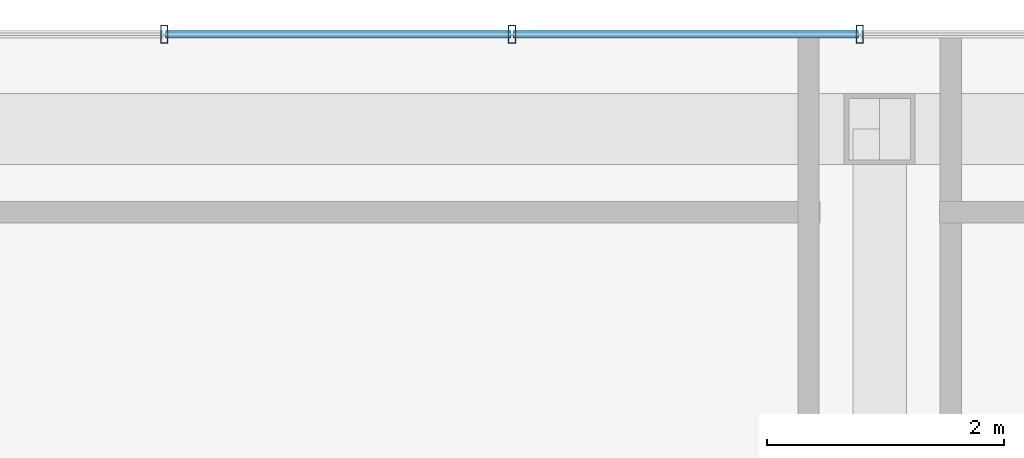
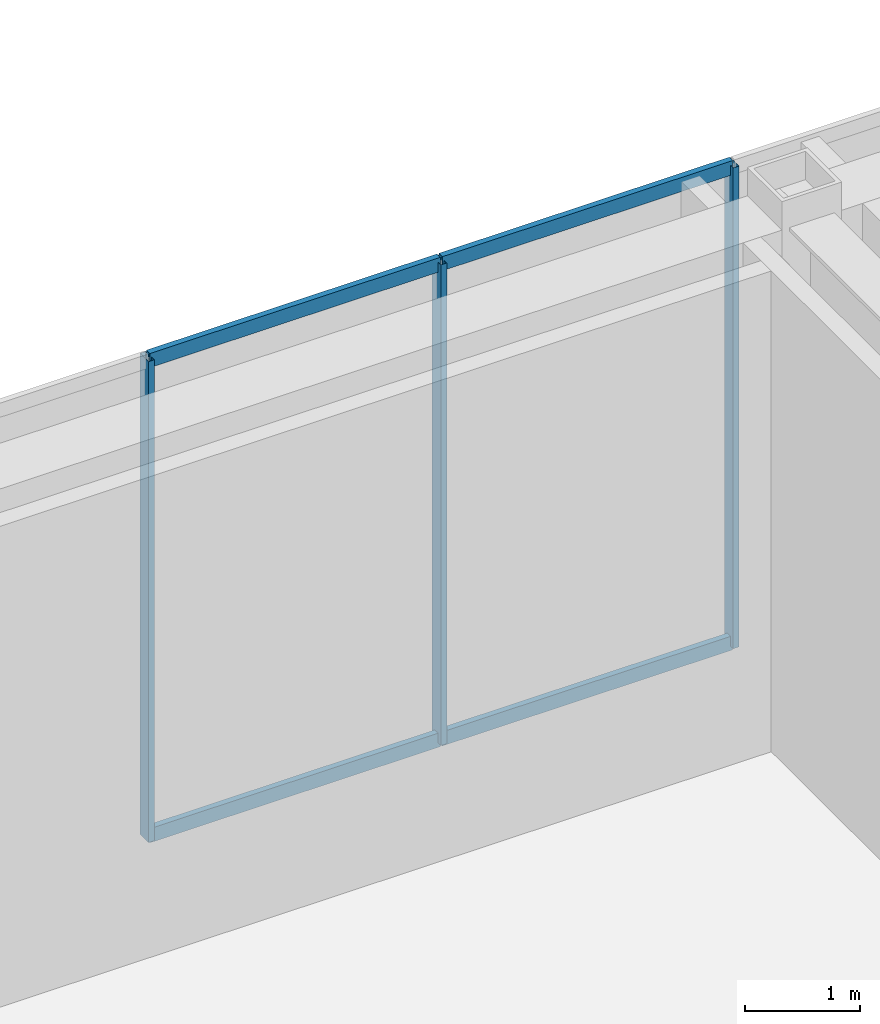
# One storey, part 5 of 9: 7 members, 1 element without a shape of its own.
"""IFC4 building model written with IfcOpenShell, lengths in metres."""

from ifc_helpers import new_model, si_unit, direction, frame, origin, origin_2d, place, context, subcontext, project, spatial, hollow_rectangle, extrude, material, material_profile, profile_set, type_object, element, aggregate, save


model = new_model("IFC4")

# Units and contexts
model_context = context("Model", 3, precision=1e-05, world=origin(), true_north=direction((0.0, 1.0)))
body_context = subcontext(model_context, "Body", "Model", "MODEL_VIEW")
ifc_project = project(units=[si_unit("LENGTHUNIT", "METRE"), si_unit("AREAUNIT", "SQUARE_METRE"), si_unit("VOLUMEUNIT", "CUBIC_METRE"), si_unit("PLANEANGLEUNIT", "RADIAN"), si_unit("MASSUNIT", "GRAM", prefix="KILO")], contexts=[model_context])

# Site, building, storey
site_placement = place(None, origin())
site = spatial("IfcSite", under=ifc_project, at=site_placement, CompositionType="ELEMENT")
building_placement = place(site_placement, origin())
building = spatial("IfcBuilding", under=site, at=building_placement, Name="Ventersveld Concourse Tower", CompositionType="ELEMENT")
storey_placement = place(building_placement, frame((0.0, 0.0, 372.050048828125)))
storey = spatial("IfcBuildingStorey", under=building, at=storey_placement, Name="L91", CompositionType="ELEMENT", Elevation=372.050048828125)

# Curtain wall, members
ifc_material = material(Name="Anodised aluminium EN AW-6063-T6", Category="aluminium")
curtain_wall_type = type_object("IfcCurtainWallType", Name="CW-CRN-6", PredefinedType="NOTDEFINED", material=ifc_material)
curtain_wall_placement = place(storey_placement, origin())
curtain_wall = element("IfcCurtainWall", 1, at=curtain_wall_placement, inside=storey, type_object=curtain_wall_type, Name="L91 L91 Crown North Glazed Curtain Wall", PredefinedType="NOTDEFINED")
ifc_material_profile_1 = material_profile(ifc_material, hollow_rectangle(XDim=0.06005859375, YDim=0.14990234375, WallThickness=0.00390625, at=origin_2d()), Name="ALU 150x60x4")
ifc_profile_set_1 = profile_set([ifc_material_profile_1], Name="Anodised aluminium EN AW-6063-T6")
member_type_1 = type_object("IfcMemberType", Name="CWM-150x65", PredefinedType="MULLION", material=ifc_profile_set_1)
member_1_placement = place(storey_placement, frame((36.083251953125, 22.0, 0.0), z_axis=(0.0, 0.0, 1.0), x_axis=(1.0, 0.0, 0.0)))
member_1 = element("IfcMember", 2, at=member_1_placement, type_object=member_type_1, Name="CW-L91-N Mullion 03", PredefinedType="MULLION", context=body_context, shape_type="SweptSolid", body=[
    extrude(hollow_rectangle(XDim=0.06005859375, YDim=0.14990234375, WallThickness=0.00390625, at=origin_2d()), origin(), (0.0, 0.0, 1.0), 5.099853515625),
])
member_2_placement = place(storey_placement, frame((33.14990234375, 22.0, 0.0), z_axis=(0.0, 0.0, 1.0), x_axis=(1.0, 0.0, 0.0)))
member_2 = element("IfcMember", 3, at=member_2_placement, type_object=member_type_1, Name="CW-L91-N Mullion 04", PredefinedType="MULLION", context=body_context, shape_type="SweptSolid", body=[
    extrude(hollow_rectangle(XDim=0.06005859375, YDim=0.14990234375, WallThickness=0.00390625, at=origin_2d()), origin(), (0.0, 0.0, 1.0), 5.099853515625),
])
member_3_placement = place(storey_placement, frame((30.216796875, 22.0, 0.0), z_axis=(0.0, 0.0, 1.0), x_axis=(1.0, 0.0, 0.0)))
member_3 = element("IfcMember", 4, at=member_3_placement, type_object=member_type_1, Name="CW-L91-N Mullion 05", PredefinedType="MULLION", context=body_context, shape_type="SweptSolid", body=[
    extrude(hollow_rectangle(XDim=0.06005859375, YDim=0.14990234375, WallThickness=0.00390625, at=origin_2d()), origin(), (0.0, 0.0, 1.0), 5.099853515625),
])
ifc_material_profile_2 = material_profile(ifc_material, hollow_rectangle(XDim=0.06005859375, YDim=0.14990234375, WallThickness=0.00390625, at=origin_2d()), Name="ALU 150x60x4")
ifc_profile_set_2 = profile_set([ifc_material_profile_2], Name="Anodised aluminium EN AW-6063-T6")
member_type_2 = type_object("IfcMemberType", Name="CWT-150x60", PredefinedType="USERDEFINED", material=ifc_profile_set_2)
member_4_placement = place(storey_placement, frame((36.0732421875, 22.0, 0.030029296875), z_axis=(-1.0, 0.0, 0.0), x_axis=(0.0, -1.0, 0.0)))
member_4 = element("IfcMember", 5, at=member_4_placement, type_object=member_type_2, Name="CW-L91-N Transom 1-03", ObjectType="TRANSOM", PredefinedType="USERDEFINED", context=body_context, shape_type="SweptSolid", body=[
    extrude(hollow_rectangle(XDim=0.06005859375, YDim=0.14990234375, WallThickness=0.00390625, at=origin_2d()), origin(), (0.0, 0.0, 1.0), 2.913330078125),
])
member_5_placement = place(storey_placement, frame((33.139892578125, 22.0, 0.030029296875), z_axis=(-1.0, 0.0, 0.0), x_axis=(0.0, -1.0, 0.0)))
member_5 = element("IfcMember", 6, at=member_5_placement, type_object=member_type_2, Name="CW-L91-N Transom 1-04", ObjectType="TRANSOM", PredefinedType="USERDEFINED", context=body_context, shape_type="SweptSolid", body=[
    extrude(hollow_rectangle(XDim=0.06005859375, YDim=0.14990234375, WallThickness=0.00390625, at=origin_2d()), origin(), (0.0, 0.0, 1.0), 2.9130859375),
])
member_6_placement = place(storey_placement, frame((36.0732421875, 22.0, 5.070068359375), z_axis=(-1.0, 0.0, 0.0), x_axis=(0.0, -1.0, 0.0)))
member_6 = element("IfcMember", 7, at=member_6_placement, type_object=member_type_2, Name="CW-L91-N Transom 2-03", ObjectType="TRANSOM", PredefinedType="USERDEFINED", context=body_context, shape_type="SweptSolid", body=[
    extrude(hollow_rectangle(XDim=0.06005859375, YDim=0.14990234375, WallThickness=0.00390625, at=origin_2d()), origin(), (0.0, 0.0, 1.0), 2.913330078125),
])
member_7_placement = place(storey_placement, frame((33.139892578125, 22.0, 5.070068359375), z_axis=(-1.0, 0.0, 0.0), x_axis=(0.0, -1.0, 0.0)))
member_7 = element("IfcMember", 8, at=member_7_placement, type_object=member_type_2, Name="CW-L91-N Transom 2-04", ObjectType="TRANSOM", PredefinedType="USERDEFINED", context=body_context, shape_type="SweptSolid", body=[
    extrude(hollow_rectangle(XDim=0.06005859375, YDim=0.14990234375, WallThickness=0.00390625, at=origin_2d()), origin(), (0.0, 0.0, 1.0), 2.9130859375),
])
aggregate(curtain_wall, [member_1, member_2, member_3, member_4, member_5, member_6, member_7])

save(model, "model.ifc")
